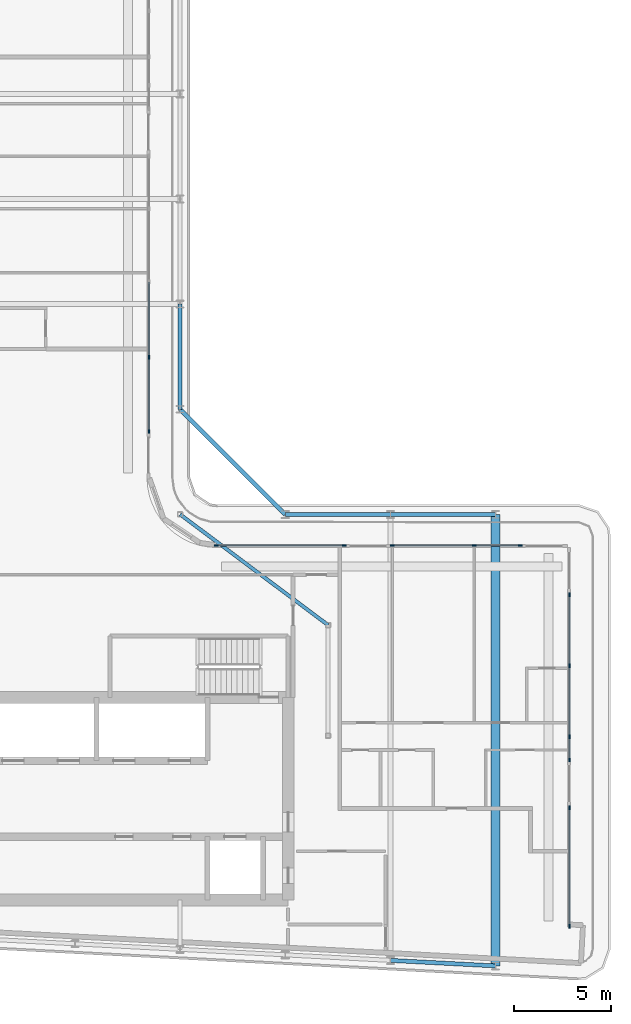
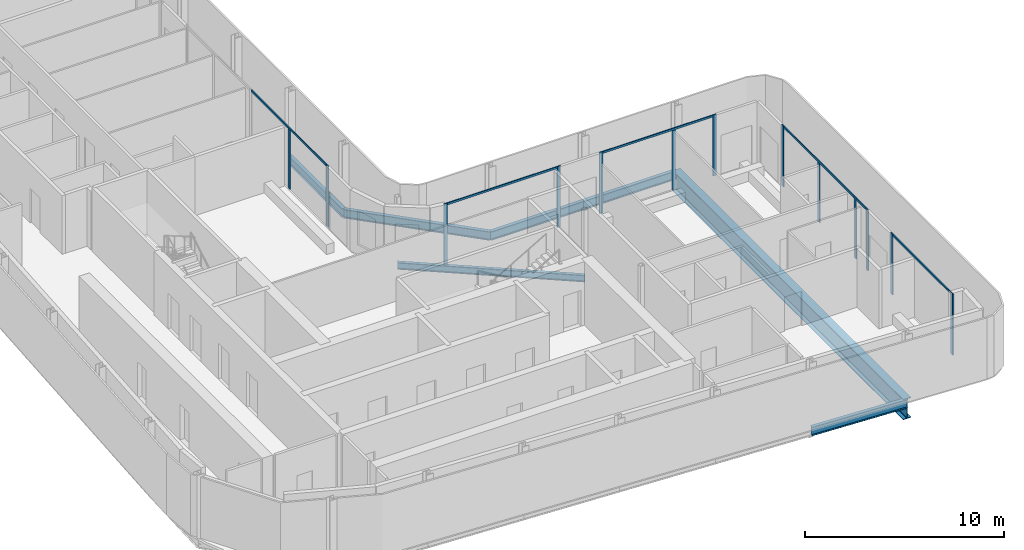
# One storey, part 6 of 21: 19 members, 7 beams, 6 elements without a shape of their own.
"""IFC4 building model written with IfcOpenShell, lengths in metres."""

from ifc_helpers import new_model, si_unit, direction, frame, origin, origin_2d, place, context, subcontext, project, spatial, rectangle, i_section, extrude, material, layer, layer_set, material_profile, profile_set, type_object, element, aggregate, save


model = new_model("IFC4")

# Units and contexts
model_context = context("Model", 3, precision=1e-05, world=origin(), true_north=direction((0.0, 1.0)))
body_context = subcontext(model_context, "Body", "Model", "MODEL_VIEW")
ifc_project = project(units=[si_unit("LENGTHUNIT", "METRE"), si_unit("AREAUNIT", "SQUARE_METRE"), si_unit("VOLUMEUNIT", "CUBIC_METRE"), si_unit("PLANEANGLEUNIT", "RADIAN"), si_unit("MASSUNIT", "GRAM", prefix="KILO")], contexts=[model_context])

# Site, building, storey
site_placement = place(None, origin())
site = spatial("IfcSite", under=ifc_project, at=site_placement, CompositionType="ELEMENT")
building_placement = place(site_placement, origin())
building = spatial("IfcBuilding", under=site, at=building_placement, Name="Kheshtan School and Residences Tower", CompositionType="ELEMENT")
storey_placement = place(building_placement, frame((0.0, 0.0, 313.699951171875)))
storey = spatial("IfcBuildingStorey", under=building, at=storey_placement, Name="L74", CompositionType="ELEMENT", Elevation=313.699951171875)

# Beams
ifc_material_1 = material(Name="Steel ASTM A992 Grade 50", Category="steel")
ifc_material_profile_1 = material_profile(ifc_material_1, i_section(OverallWidth=0.180908203125, OverallDepth=0.4169921875, WebThickness=0.010986328125, FlangeThickness=0.018310546875, FilletRadius=0.012451171875, at=origin_2d()), Name="W410x85")
ifc_profile_set_1 = profile_set([ifc_material_profile_1], Name="Steel ASTM A992 Grade 50")
beam_type_1 = type_object("IfcBeamType", Name="Beam FB3 W410x85 ASTM A992 Grade 50", PredefinedType="BEAM", material=ifc_profile_set_1)
beam_1_placement = place(storey_placement, frame((47.60009765625, 45.60009765625, -0.3583984375), z_axis=(0.800798828004, -0.598933416222, 0.0), x_axis=(0.598933416222, 0.800798828004, 0.0)))
element("IfcBeam", 1, at=beam_1_placement, inside=storey, type_object=beam_type_1, Name="Floor beam IC", PredefinedType="BEAM", context=body_context, shape_type="SweptSolid", body=[
    extrude(i_section(OverallWidth=0.180908203125, OverallDepth=0.4169921875, WebThickness=0.010986328125, FlangeThickness=0.018310546875, FilletRadius=0.012451171875, at=origin_2d()), origin(), (0.0, 0.0, 1.0), 9.490234375),
])
ifc_material_profile_2 = material_profile(ifc_material_1, i_section(OverallWidth=0.208984375, OverallDepth=0.532958984375, WebThickness=0.01025390625, FlangeThickness=0.015625, FilletRadius=0.013916015625, at=origin_2d()), Name="W530x92")
ifc_profile_set_2 = profile_set([ifc_material_profile_2], Name="Steel ASTM A992 Grade 50")
beam_type_2 = type_object("IfcBeamType", Name="Beam SP3 W530x92 ASTM A992 Grade 50", PredefinedType="BEAM", material=ifc_profile_set_2)
beam_2_placement = place(storey_placement, frame((47.60009765625, 56.39990234375, -0.41650390625), z_axis=(0.0, -1.0, 0.0), x_axis=(1.0, 0.0, 0.0)))
element("IfcBeam", 2, at=beam_2_placement, inside=storey, type_object=beam_type_2, Name="Spandrel beam C081-C079", PredefinedType="BEAM", context=body_context, shape_type="SweptSolid", body=[
    extrude(i_section(OverallWidth=0.208984375, OverallDepth=0.532958984375, WebThickness=0.01025390625, FlangeThickness=0.015625, FilletRadius=0.013916015625, at=origin_2d()), origin(), (0.0, 0.0, 1.0), 5.39990234375),
])
beam_3_placement = place(storey_placement, frame((47.60009765625, 51.0, -0.41650390625), z_axis=(0.707106781187, -0.707106781187, 0.0), x_axis=(0.707106781187, 0.707106781187, 0.0)))
element("IfcBeam", 3, at=beam_3_placement, inside=storey, type_object=beam_type_2, Name="Spandrel beam C079-C061", PredefinedType="BEAM", context=body_context, shape_type="SweptSolid", body=[
    extrude(i_section(OverallWidth=0.208984375, OverallDepth=0.532958984375, WebThickness=0.01025390625, FlangeThickness=0.015625, FilletRadius=0.013916015625, at=origin_2d()), origin(), (0.0, 0.0, 1.0), 7.63671875),
])
beam_4_placement = place(storey_placement, frame((53.0, 45.60009765625, -0.41650390625), z_axis=(1.0, 0.0, 0.0), x_axis=(0.0, 1.0, 0.0)))
element("IfcBeam", 4, at=beam_4_placement, inside=storey, type_object=beam_type_2, Name="Spandrel beam C061-C062", PredefinedType="BEAM", context=body_context, shape_type="SweptSolid", body=[
    extrude(i_section(OverallWidth=0.208984375, OverallDepth=0.532958984375, WebThickness=0.01025390625, FlangeThickness=0.015625, FilletRadius=0.013916015625, at=origin_2d()), origin(), (0.0, 0.0, 1.0), 5.39990234375),
])
beam_5_placement = place(storey_placement, frame((58.39990234375, 45.60009765625, -0.41650390625), z_axis=(1.0, 0.0, 0.0), x_axis=(0.0, 1.0, 0.0)))
element("IfcBeam", 5, at=beam_5_placement, inside=storey, type_object=beam_type_2, Name="Spandrel beam C062-C063", PredefinedType="BEAM", context=body_context, shape_type="SweptSolid", body=[
    extrude(i_section(OverallWidth=0.208984375, OverallDepth=0.532958984375, WebThickness=0.01025390625, FlangeThickness=0.015625, FilletRadius=0.013916015625, at=origin_2d()), origin(), (0.0, 0.0, 1.0), 5.400146484375),
])
beam_6_placement = place(storey_placement, frame((63.800048828125, 22.410888671875, -0.41650390625), z_axis=(-0.998618203458, 0.052551724256, 0.0), x_axis=(-0.052551724256, -0.998618203458, 0.0)))
element("IfcBeam", 6, at=beam_6_placement, inside=storey, type_object=beam_type_2, Name="Spandrel beam C016-C018", PredefinedType="BEAM", context=body_context, shape_type="SweptSolid", body=[
    extrude(i_section(OverallWidth=0.208984375, OverallDepth=0.532958984375, WebThickness=0.01025390625, FlangeThickness=0.015625, FilletRadius=0.013916015625, at=origin_2d()), origin(), (0.0, 0.0, 1.0), 5.40771484375),
])

# Curtain wall, members
ifc_material_2 = material(Name="Clear low-e glass in thermally broken aluminium frame", Category="aluminium")
ifc_layer = layer(ifc_material_2, 0.199951171875)
ifc_layer_set = layer_set([ifc_layer], Name="Curtain wall CW-L")
curtain_wall_type = type_object("IfcCurtainWallType", Name="Curtain wall CW-L", PredefinedType="NOTDEFINED", material=ifc_layer_set)
curtain_wall_1_placement = place(storey_placement, origin())
curtain_wall_1 = element("IfcCurtainWall", 7, at=curtain_wall_1_placement, inside=storey, type_object=curtain_wall_type, Name="Curtain wall CWL8", PredefinedType="NOTDEFINED")
ifc_material_3 = material(Name="Thermally broken aluminium, dark bronze anodised", Category="aluminium")
ifc_material_profile_3 = material_profile(ifc_material_3, rectangle(XDim=0.06005859375, YDim=0.199951171875, at=origin_2d()), Name="CW-L mullion 60x200")
ifc_profile_set_3 = profile_set([ifc_material_profile_3], Name="Thermally broken aluminium, dark bronze anodised")
member_type_1 = type_object("IfcMemberType", Name="CW-L mullion 60x200", PredefinedType="MULLION", material=ifc_profile_set_3)
member_1_placement = place(storey_placement, frame((46.0, 53.677001953125, 0.0), z_axis=(0.0, 0.0, 1.0), x_axis=(1.0, 0.0, 0.0)))
member_1 = element("IfcMember", 8, at=member_1_placement, type_object=member_type_1, Name="CWL8 mullion 2", PredefinedType="MULLION", context=body_context, shape_type="SweptSolid", body=[
    extrude(rectangle(XDim=0.06005859375, YDim=0.199951171875, at=origin_2d()), origin(), (0.0, 0.0, 1.0), 3.630126953125),
])
member_2_placement = place(storey_placement, frame((46.0, 49.860107421875, 0.0), z_axis=(0.0, 0.0, 1.0), x_axis=(1.0, 0.0, 0.0)))
member_2 = element("IfcMember", 9, at=member_2_placement, type_object=member_type_1, Name="CWL8 mullion 3", PredefinedType="MULLION", context=body_context, shape_type="SweptSolid", body=[
    extrude(rectangle(XDim=0.06005859375, YDim=0.199951171875, at=origin_2d()), origin(), (0.0, 0.0, 1.0), 3.75),
])

curtain_wall_2_placement = place(storey_placement, origin())
curtain_wall_2 = element("IfcCurtainWall", 10, at=curtain_wall_2_placement, inside=storey, type_object=curtain_wall_type, Name="Curtain wall CWL1233", PredefinedType="NOTDEFINED")
member_3_placement = place(storey_placement, frame((49.4599609375, 44.0, 0.0), z_axis=(0.0, 0.0, 1.0), x_axis=(0.0, 1.0, 0.0)))
member_3 = element("IfcMember", 11, at=member_3_placement, type_object=member_type_1, Name="CWL1233 mullion 1", PredefinedType="MULLION", context=body_context, shape_type="SweptSolid", body=[
    extrude(rectangle(XDim=0.06005859375, YDim=0.199951171875, at=origin_2d()), origin(), (0.0, 0.0, 1.0), 3.75),
])
member_4_placement = place(storey_placement, frame((56.034912109375, 44.0, 0.0), z_axis=(0.0, 0.0, 1.0), x_axis=(0.0, 1.0, 0.0)))
member_4 = element("IfcMember", 12, at=member_4_placement, type_object=member_type_1, Name="CWL1233 mullion 2", PredefinedType="MULLION", context=body_context, shape_type="SweptSolid", body=[
    extrude(rectangle(XDim=0.06005859375, YDim=0.199951171875, at=origin_2d()), origin(), (0.0, 0.0, 1.0), 3.75),
])

curtain_wall_3_placement = place(storey_placement, origin())
curtain_wall_3 = element("IfcCurtainWall", 13, at=curtain_wall_3_placement, inside=storey, type_object=curtain_wall_type, Name="Curtain wall CWL1234", PredefinedType="NOTDEFINED")
member_5_placement = place(storey_placement, frame((58.4951171875, 44.0, 0.0), z_axis=(0.0, 0.0, 1.0), x_axis=(0.0, 1.0, 0.0)))
member_5 = element("IfcMember", 14, at=member_5_placement, type_object=member_type_1, Name="CWL1234 mullion 1", PredefinedType="MULLION", context=body_context, shape_type="SweptSolid", body=[
    extrude(rectangle(XDim=0.06005859375, YDim=0.199951171875, at=origin_2d()), origin(), (0.0, 0.0, 1.0), 3.75),
])
member_6_placement = place(storey_placement, frame((62.699951171875, 44.0, 0.0), z_axis=(0.0, 0.0, 1.0), x_axis=(0.0, 1.0, 0.0)))
member_6 = element("IfcMember", 15, at=member_6_placement, type_object=member_type_1, Name="CWL1234 mullion 2", PredefinedType="MULLION", context=body_context, shape_type="SweptSolid", body=[
    extrude(rectangle(XDim=0.06005859375, YDim=0.199951171875, at=origin_2d()), origin(), (0.0, 0.0, 1.0), 3.630126953125),
])
member_7_placement = place(storey_placement, frame((65.070068359375, 44.0, 0.0), z_axis=(0.0, 0.0, 1.0), x_axis=(0.0, 1.0, 0.0)))
member_7 = element("IfcMember", 16, at=member_7_placement, type_object=member_type_1, Name="CWL1234 mullion 3", PredefinedType="MULLION", context=body_context, shape_type="SweptSolid", body=[
    extrude(rectangle(XDim=0.06005859375, YDim=0.199951171875, at=origin_2d()), origin(), (0.0, 0.0, 1.0), 3.75),
])

curtain_wall_4_placement = place(storey_placement, origin())
curtain_wall_4 = element("IfcCurtainWall", 17, at=curtain_wall_4_placement, inside=storey, type_object=curtain_wall_type, Name="Curtain wall CWL13e", PredefinedType="NOTDEFINED")
member_8_placement = place(storey_placement, frame((67.60009765625, 41.469970703125, 0.0), z_axis=(0.0, 0.0, 1.0), x_axis=(1.0, 0.0, 0.0)))
member_8 = element("IfcMember", 18, at=member_8_placement, type_object=member_type_1, Name="CWL13e mullion 1", PredefinedType="MULLION", context=body_context, shape_type="SweptSolid", body=[
    extrude(rectangle(XDim=0.06005859375, YDim=0.199951171875, at=origin_2d()), origin(), (0.0, 0.0, 1.0), 3.75),
])
member_9_placement = place(storey_placement, frame((67.60009765625, 37.829833984375, 0.0), z_axis=(0.0, 0.0, 1.0), x_axis=(1.0, 0.0, 0.0)))
member_9 = element("IfcMember", 19, at=member_9_placement, type_object=member_type_1, Name="CWL13e mullion 2", PredefinedType="MULLION", context=body_context, shape_type="SweptSolid", body=[
    extrude(rectangle(XDim=0.06005859375, YDim=0.199951171875, at=origin_2d()), origin(), (0.0, 0.0, 1.0), 3.630126953125),
])
member_10_placement = place(storey_placement, frame((67.60009765625, 34.189453125, 0.0), z_axis=(0.0, 0.0, 1.0), x_axis=(1.0, 0.0, 0.0)))
member_10 = element("IfcMember", 20, at=member_10_placement, type_object=member_type_1, Name="CWL13e mullion 3", PredefinedType="MULLION", context=body_context, shape_type="SweptSolid", body=[
    extrude(rectangle(XDim=0.06005859375, YDim=0.199951171875, at=origin_2d()), origin(), (0.0, 0.0, 1.0), 3.75),
])

# Curtain wall, member
curtain_wall_5_placement = place(storey_placement, origin())
curtain_wall_5 = element("IfcCurtainWall", 21, at=curtain_wall_5_placement, inside=storey, type_object=curtain_wall_type, Name="Curtain wall CWL13f", PredefinedType="NOTDEFINED")
member_11_placement = place(storey_placement, frame((67.60009765625, 32.989501953125, 0.0), z_axis=(0.0, 0.0, 1.0), x_axis=(1.0, 0.0, 0.0)))
member_11 = element("IfcMember", 22, at=member_11_placement, type_object=member_type_1, Name="CWL13f mullion 2", PredefinedType="MULLION", context=body_context, shape_type="SweptSolid", body=[
    extrude(rectangle(XDim=0.06005859375, YDim=0.199951171875, at=origin_2d()), origin(), (0.0, 0.0, 1.0), 3.75),
])

# Curtain wall, members
curtain_wall_6_placement = place(storey_placement, origin())
curtain_wall_6 = element("IfcCurtainWall", 23, at=curtain_wall_6_placement, inside=storey, type_object=curtain_wall_type, Name="Curtain wall CWL13g", PredefinedType="NOTDEFINED")
member_12_placement = place(storey_placement, frame((67.60009765625, 30.529541015625, 0.0), z_axis=(0.0, 0.0, 1.0), x_axis=(1.0, 0.0, 0.0)))
member_12 = element("IfcMember", 24, at=member_12_placement, type_object=member_type_1, Name="CWL13g mullion 1", PredefinedType="MULLION", context=body_context, shape_type="SweptSolid", body=[
    extrude(rectangle(XDim=0.06005859375, YDim=0.199951171875, at=origin_2d()), origin(), (0.0, 0.0, 1.0), 3.75),
])
member_13_placement = place(storey_placement, frame((67.60009765625, 24.448974609375, 0.0), z_axis=(0.0, 0.0, 1.0), x_axis=(1.0, 0.0, 0.0)))
member_13 = element("IfcMember", 25, at=member_13_placement, type_object=member_type_1, Name="CWL13g mullion 2", PredefinedType="MULLION", context=body_context, shape_type="SweptSolid", body=[
    extrude(rectangle(XDim=0.06005859375, YDim=0.199951171875, at=origin_2d()), origin(), (0.0, 0.0, 1.0), 3.75),
])

# Member
ifc_material_profile_4 = material_profile(ifc_material_3, rectangle(XDim=0.06005859375, YDim=0.1201171875, at=origin_2d()), Name="CW-L transom 60x120")
ifc_profile_set_4 = profile_set([ifc_material_profile_4], Name="Thermally broken aluminium, dark bronze anodised")
member_type_2 = type_object("IfcMemberType", Name="CW-L transom 60x120", PredefinedType="USERDEFINED", material=ifc_profile_set_4)
member_14_placement = place(storey_placement, frame((46.0, 57.52392578125, 3.68994140625), z_axis=(0.0, -1.0, 0.0), x_axis=(1.0, 0.0, 0.0)))
member_14 = element("IfcMember", 26, at=member_14_placement, type_object=member_type_2, Name="CWL8 transom 1", ObjectType="TRANSOM", PredefinedType="USERDEFINED", context=body_context, shape_type="SweptSolid", body=[
    extrude(rectangle(XDim=0.06005859375, YDim=0.1201171875, at=origin_2d()), origin(), (0.0, 0.0, 1.0), 7.634033203125),
])

aggregate(curtain_wall_1, [member_1, member_2, member_14])

member_15_placement = place(storey_placement, frame((49.489990234375, 44.0, 3.68994140625), z_axis=(1.0, 0.0, 0.0), x_axis=(0.0, 1.0, 0.0)))
member_15 = element("IfcMember", 27, at=member_15_placement, type_object=member_type_2, Name="CWL1233 transom 1", ObjectType="TRANSOM", PredefinedType="USERDEFINED", context=body_context, shape_type="SweptSolid", body=[
    extrude(rectangle(XDim=0.06005859375, YDim=0.1201171875, at=origin_2d()), origin(), (0.0, 0.0, 1.0), 6.514892578125),
])

aggregate(curtain_wall_2, [member_3, member_4, member_15])

member_16_placement = place(storey_placement, frame((58.52490234375, 44.0, 3.68994140625), z_axis=(1.0, 0.0, 0.0), x_axis=(0.0, 1.0, 0.0)))
member_16 = element("IfcMember", 28, at=member_16_placement, type_object=member_type_2, Name="CWL1234 transom 1", ObjectType="TRANSOM", PredefinedType="USERDEFINED", context=body_context, shape_type="SweptSolid", body=[
    extrude(rectangle(XDim=0.06005859375, YDim=0.1201171875, at=origin_2d()), origin(), (0.0, 0.0, 1.0), 6.51513671875),
])

aggregate(curtain_wall_3, [member_5, member_6, member_7, member_16])

member_17_placement = place(storey_placement, frame((67.60009765625, 41.43994140625, 3.68994140625), z_axis=(0.0, -1.0, 0.0), x_axis=(1.0, 0.0, 0.0)))
member_17 = element("IfcMember", 29, at=member_17_placement, type_object=member_type_2, Name="CWL13e transom 1", ObjectType="TRANSOM", PredefinedType="USERDEFINED", context=body_context, shape_type="SweptSolid", body=[
    extrude(rectangle(XDim=0.06005859375, YDim=0.1201171875, at=origin_2d()), origin(), (0.0, 0.0, 1.0), 7.220458984375),
])

aggregate(curtain_wall_4, [member_8, member_9, member_10, member_17])

member_18_placement = place(storey_placement, frame((67.60009765625, 34.159423828125, 3.68994140625), z_axis=(0.0, -1.0, 0.0), x_axis=(1.0, 0.0, 0.0)))
member_18 = element("IfcMember", 30, at=member_18_placement, type_object=member_type_2, Name="CWL13f transom 1", ObjectType="TRANSOM", PredefinedType="USERDEFINED", context=body_context, shape_type="SweptSolid", body=[
    extrude(rectangle(XDim=0.06005859375, YDim=0.1201171875, at=origin_2d()), origin(), (0.0, 0.0, 1.0), 1.139892578125),
])

aggregate(curtain_wall_5, [member_11, member_18])

member_19_placement = place(storey_placement, frame((67.60009765625, 30.49951171875, 3.68994140625), z_axis=(0.0, -1.0, 0.0), x_axis=(1.0, 0.0, 0.0)))
member_19 = element("IfcMember", 31, at=member_19_placement, type_object=member_type_2, Name="CWL13g transom 1", ObjectType="TRANSOM", PredefinedType="USERDEFINED", context=body_context, shape_type="SweptSolid", body=[
    extrude(rectangle(XDim=0.06005859375, YDim=0.1201171875, at=origin_2d()), origin(), (0.0, 0.0, 1.0), 6.0205078125),
])

aggregate(curtain_wall_6, [member_12, member_13, member_19])

# Beam
ifc_material_profile_5 = material_profile(ifc_material_1, i_section(OverallWidth=0.449951171875, OverallDepth=1.25, WebThickness=0.02490234375, FlangeThickness=0.044921875, FilletRadius=0.03759765625, at=origin_2d()), Name="WWF1250x546")
ifc_profile_set_5 = profile_set([ifc_material_profile_5], Name="Steel ASTM A992 Grade 50")
beam_type_3 = type_object("IfcBeamType", Name="Transfer girder TG4 WWF1250x546 ASTM A992 Grade 50", PredefinedType="BEAM", material=ifc_profile_set_5)
beam_7_placement = place(storey_placement, frame((63.800048828125, 45.60009765625, -0.77490234375), z_axis=(0.0, -1.0, 0.0), x_axis=(1.0, 0.0, 0.0)))
element("IfcBeam", 32, at=beam_7_placement, inside=storey, type_object=beam_type_3, Name="Transfer girder C063-C016", PredefinedType="BEAM", context=body_context, shape_type="SweptSolid", body=[
    extrude(i_section(OverallWidth=0.449951171875, OverallDepth=1.25, WebThickness=0.02490234375, FlangeThickness=0.044921875, FilletRadius=0.03759765625, at=origin_2d()), origin(), (0.0, 0.0, 1.0), 23.189208984375),
])

save(model, "model.ifc")
